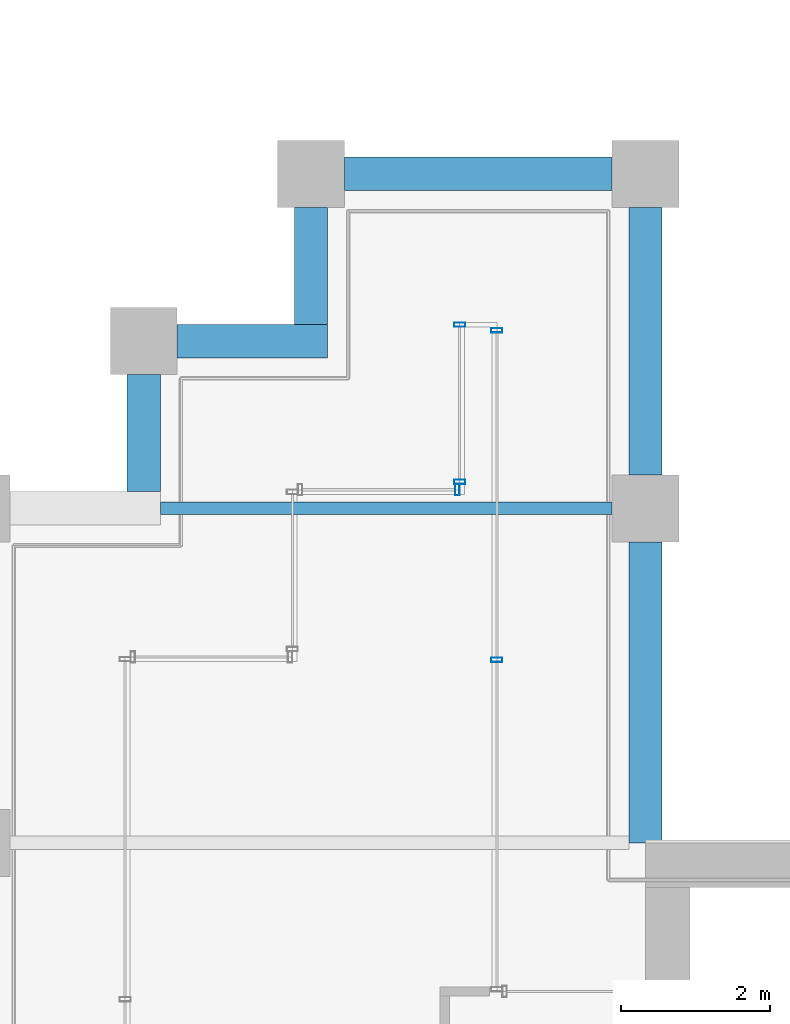
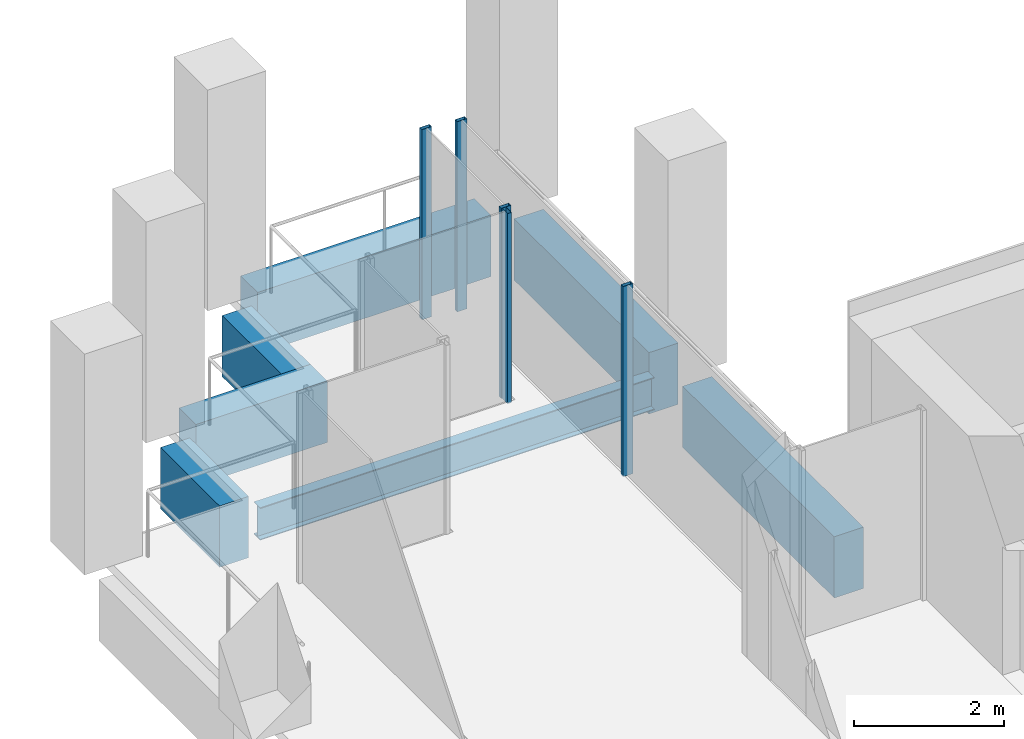
# One storey, part 33 of 40: 7 beams, 5 members, 3 elements without a shape of their own.
"""IFC4 building model written with IfcOpenShell, lengths in metres."""

import ifcopenshell
import ifcopenshell.guid

model = None  # the IFC model being written
_history = None  # IfcOwnerHistory: only IFC2X3 demands one
_inside = {}  # id of a spatial element -> (the spatial element, [elements in it])
_under = {}  # id of a project, library or spatial element -> (it, [spatial elements below it])
_declared = {}  # id of a project -> (the project, [libraries it declares])
_typed = {}  # id of a type object -> (the type object, [elements of that type])
_made_of = {}  # id of a material, layer set ... -> (it, [elements and type objects made of it])


def new_model(schema):
    """Start an empty IFC model of exactly this schema.

    Asked for "IFC4X3", IfcOpenShell would pick the latest addendum, in which some entities
    have other attributes; the version numbers below select the first issue.
    IFC2X3 requires an IfcOwnerHistory on every rooted entity: one is made here for all.
    """
    global model, _history
    if schema == "IFC4X3":
        model = ifcopenshell.file(schema_version=(4, 3, 0, 0))
    else:
        model = ifcopenshell.file(schema=schema)
    _inside.clear()
    _under.clear()
    _declared.clear()
    _typed.clear()
    _made_of.clear()
    _history = None
    if model.schema == "IFC2X3":
        org = make("IfcOrganization", Name="unknown")
        user = make(
            "IfcPersonAndOrganization",
            ThePerson=make("IfcPerson", FamilyName="unknown"),
            TheOrganization=org,
        )
        app = make(
            "IfcApplication",
            ApplicationDeveloper=org,
            Version="unknown",
            ApplicationFullName="unknown",
            ApplicationIdentifier="unknown",
        )
        _history = make(
            "IfcOwnerHistory",
            OwningUser=user,
            OwningApplication=app,
            ChangeAction="ADDED",
            CreationDate=0,
        )
    return model


def make(cls, **values):
    """One entity of the class cls with the attributes given. An attribute that is None is left unset."""
    return model.create_entity(
        cls, **{name: value for name, value in values.items() if value is not None}
    )


def rooted(cls, **values):
    """An entity with a GlobalId (a new one), such as an element, a storey or a relation."""
    return make(cls, GlobalId=ifcopenshell.guid.new(), OwnerHistory=_history, **values)


def si_unit(unit_type, name, prefix=None):
    """IfcSIUnit, for example si_unit("LENGTHUNIT", "METRE", prefix="MILLI")."""
    return make("IfcSIUnit", UnitType=unit_type, Prefix=prefix, Name=name)


def assignment(units):
    """IfcUnitAssignment: the units of a project."""
    return None if units is None else make("IfcUnitAssignment", Units=units)


def point(xyz):
    """IfcCartesianPoint."""
    return None if xyz is None else make("IfcCartesianPoint", Coordinates=xyz)


def direction(xyz):
    """IfcDirection."""
    return None if xyz is None else make("IfcDirection", DirectionRatios=xyz)


def frame(location, z_axis=None, x_axis=None):
    """IfcAxis2Placement3D, a coordinate frame: its origin and axes. An axis left out is left unset."""
    return make(
        "IfcAxis2Placement3D",
        Location=point(location),
        Axis=direction(z_axis),
        RefDirection=direction(x_axis),
    )


def frame_2d(location, x_axis=None):
    """IfcAxis2Placement2D, a coordinate frame in the plane: its origin and x axis."""
    return make(
        "IfcAxis2Placement2D", Location=point(location), RefDirection=direction(x_axis)
    )


def origin():
    """The frame at (0, 0, 0) with its axes left unset."""
    return frame((0.0, 0.0, 0.0))


def origin_2d():
    """The frame at (0, 0) in the plane with its x axis left unset."""
    return frame_2d((0.0, 0.0))


def place(relative_to, where):
    """IfcLocalPlacement: puts the frame where relative to a parent placement (None: the world)."""
    return make(
        "IfcLocalPlacement", PlacementRelTo=relative_to, RelativePlacement=where
    )


def context(
    kind, dimensions, precision=None, world=None, true_north=None, identifier=None
):
    """IfcGeometricRepresentationContext, for example the 3D "Model" context."""
    return make(
        "IfcGeometricRepresentationContext",
        ContextIdentifier=identifier,
        ContextType=kind,
        CoordinateSpaceDimension=dimensions,
        Precision=precision,
        WorldCoordinateSystem=world,
        TrueNorth=true_north,
    )


def subcontext(parent, identifier, kind, view, scale=None):
    """IfcGeometricRepresentationSubContext, for example "Body" below "Model"."""
    return make(
        "IfcGeometricRepresentationSubContext",
        ContextIdentifier=identifier,
        ContextType=kind,
        ParentContext=parent,
        TargetScale=scale,
        TargetView=view,
    )


def project(units=None, contexts=None):
    """IfcProject with its units and contexts."""
    return rooted(
        "IfcProject",
        Name="project",
        RepresentationContexts=contexts,
        UnitsInContext=assignment(units),
    )


def spatial(cls, under=None, at=None, **own):
    """A site, building, storey or space (cls), placed at a placement, below another one or the project."""
    s = rooted(cls, ObjectPlacement=at, **own)
    if under is not None:
        _under.setdefault(under.id(), (under, []))[1].append(s)
    return s


def profile(cls, at=None, kind="AREA", **sizes):
    """A parametric profile (cls). Its sizes go by their IFC names, for example OverallWidth=200.0."""
    return make(cls, ProfileType=kind, Position=at, **sizes)


def rectangle(**sizes):
    """IfcRectangleProfileDef."""
    return profile("IfcRectangleProfileDef", **sizes)


def hollow_rectangle(**sizes):
    """IfcRectangleHollowProfileDef."""
    return profile("IfcRectangleHollowProfileDef", **sizes)


def i_section(**sizes):
    """IfcIShapeProfileDef."""
    return profile("IfcIShapeProfileDef", **sizes)


def extrude(swept, where, along, depth):
    """IfcExtrudedAreaSolid: the profile swept, set in the frame where, extruded along a direction by depth."""
    return make(
        "IfcExtrudedAreaSolid",
        SweptArea=swept,
        Position=where,
        ExtrudedDirection=direction(along),
        Depth=depth,
    )


def shape(context_of_items, identifier, shape_type, items):
    """IfcShapeRepresentation: the items that make up one representation, for example the "Body"."""
    return make(
        "IfcShapeRepresentation",
        ContextOfItems=context_of_items,
        RepresentationIdentifier=identifier,
        RepresentationType=shape_type,
        Items=items,
    )


def material(Name=None, Category=None):
    """IfcMaterial."""
    return make("IfcMaterial", Name=Name, Category=Category)


def material_profile(
    of_material, cross_section, Name=None, Category=None, Priority=None
):
    """IfcMaterialProfile: a cross section and its material."""
    return make(
        "IfcMaterialProfile",
        Name=Name,
        Material=of_material,
        Profile=cross_section,
        Priority=Priority,
        Category=Category,
    )


def profile_set(profiles, Name=None, composite=None):
    """IfcMaterialProfileSet."""
    return make(
        "IfcMaterialProfileSet",
        Name=Name,
        MaterialProfiles=profiles,
        CompositeProfile=composite,
    )


def made_of(thing, what):
    """Note that an element or type object is made of a material, layer set ...; save() writes the relation."""
    if what is not None:
        _made_of.setdefault(what.id(), (what, []))[1].append(thing)
    return thing


def type_object(cls, material=None, **own):
    """A type object (cls), such as IfcWallType, which elements share."""
    return made_of(rooted(cls, **own), material)


def element(
    cls,
    number,
    at=None,
    inside=None,
    cuts=None,
    type_object=None,
    material=None,
    context=None,
    identifier="Body",
    shape_type=None,
    held_by="IfcProductDefinitionShape",
    body=None,
    shapes=None,
    **own,
):
    """One element of the class cls, such as IfcWall. Its Tag is "e" and its number.

    at: its placement. inside: the storey or other place that contains it. cuts: it is an
    opening in that element (IfcRelVoidsElement). A single representation is given by context,
    identifier, shape_type and body (its items); several are given by shapes. held_by: the class
    of the entity that holds the representations. save() writes the other relations.
    """
    e = rooted(cls, Tag="e%d" % number, ObjectPlacement=at, **own)
    if body is not None:
        shapes = [shape(context, identifier, shape_type, body)]
    if shapes is not None:
        e.Representation = make(held_by, Representations=shapes)
    if inside is not None:
        _inside.setdefault(inside.id(), (inside, []))[1].append(e)
    if cuts is not None:
        rooted(
            "IfcRelVoidsElement", RelatingBuildingElement=cuts, RelatedOpeningElement=e
        )
    if type_object is not None:
        _typed.setdefault(type_object.id(), (type_object, []))[1].append(e)
    return made_of(e, material)


def aggregate(whole, parts):
    """IfcRelAggregates: a whole, such as a stair, and the parts it consists of."""
    return rooted("IfcRelAggregates", RelatingObject=whole, RelatedObjects=parts)


def save(model, path):
    """Write the relations noted so far, then the file.

    IfcRelAggregates (storeys below a building ...), IfcRelContainedInSpatialStructure (elements
    in a storey), IfcRelDefinesByType, IfcRelAssociatesMaterial and IfcRelDeclares: one each for
    every whole, place, type object, material and project.
    """
    for whole, parts in _under.values():
        aggregate(whole, parts)
    for where, things in _inside.values():
        rooted(
            "IfcRelContainedInSpatialStructure",
            RelatedElements=things,
            RelatingStructure=where,
        )
    for kind, things in _typed.values():
        rooted("IfcRelDefinesByType", RelatedObjects=things, RelatingType=kind)
    for what, things in _made_of.values():
        rooted("IfcRelAssociatesMaterial", RelatedObjects=things, RelatingMaterial=what)
    for by, libraries in _declared.values():
        rooted("IfcRelDeclares", RelatingContext=by, RelatedDefinitions=libraries)
    model.write(path)


model = new_model("IFC4")

# Units and contexts
model_context = context("Model", 3, precision=1e-05, world=origin(), true_north=direction((0.0, 1.0)))
body_context = subcontext(model_context, "Body", "Model", "MODEL_VIEW")
ifc_project = project(units=[si_unit("LENGTHUNIT", "METRE"), si_unit("AREAUNIT", "SQUARE_METRE"), si_unit("VOLUMEUNIT", "CUBIC_METRE"), si_unit("PLANEANGLEUNIT", "RADIAN"), si_unit("MASSUNIT", "GRAM", prefix="KILO")], contexts=[model_context])

# Site, building, storey
site_placement = place(None, origin())
site = spatial("IfcSite", under=ifc_project, at=site_placement, CompositionType="ELEMENT")
building_placement = place(site_placement, origin())
building = spatial("IfcBuilding", under=site, at=building_placement, Name="Altepetl Exchange Towers", CompositionType="ELEMENT")
storey_placement = place(building_placement, frame((0.0, 0.0, 154.60009765625)))
storey = spatial("IfcBuildingStorey", under=building, at=storey_placement, Name="L38", CompositionType="ELEMENT", Elevation=154.60009765625)

# Beam
ifc_material_1 = material(Name="Steel S355", Category="steel")
ifc_material_profile_1 = material_profile(ifc_material_1, i_section(OverallWidth=0.166015625, OverallDepth=0.529052734375, WebThickness=0.009765625, FlangeThickness=0.013671875, at=origin_2d()), Name="W21X50")
ifc_profile_set_1 = profile_set([ifc_material_profile_1], Name="Steel S355")
beam_type_1 = type_object("IfcBeamType", Name="Floor beam W21X50", PredefinedType="BEAM", material=ifc_profile_set_1)
beam_1_placement = place(storey_placement, frame((96.97509765625, 54.0, -0.41455078125), z_axis=(1.0, 0.0, 0.0), x_axis=(0.0, 1.0, 0.0)))
element("IfcBeam", 1, at=beam_1_placement, inside=storey, type_object=beam_type_1, Name="bm:B:L38:007", PredefinedType="BEAM", context=body_context, shape_type="SweptSolid", body=[
    extrude(i_section(OverallWidth=0.166015625, OverallDepth=0.529052734375, WebThickness=0.009765625, FlangeThickness=0.013671875, at=origin_2d()), origin(), (0.0, 0.0, 1.0), 6.074951171875),
])

# Curtain wall, members
ifc_material_2 = material(Name="Aluminium 6063-T6 glazing", Category="aluminium")
curtain_wall_type = type_object("IfcCurtainWallType", Name="Loggia glazing system", PredefinedType="NOTDEFINED", material=ifc_material_2)
curtain_wall_1_placement = place(storey_placement, origin())
curtain_wall_1 = element("IfcCurtainWall", 2, at=curtain_wall_1_placement, inside=storey, type_object=curtain_wall_type, Name="CW1 run", PredefinedType="NOTDEFINED")
ifc_material_3 = material(Name="Aluminium 6063-T6", Category="aluminium")
ifc_material_profile_2 = material_profile(ifc_material_3, hollow_rectangle(XDim=0.06005859375, YDim=0.14990234375, WallThickness=0.0029296875, at=origin_2d()), Name="Mullion 60x150 aluminium")
ifc_profile_set_2 = profile_set([ifc_material_profile_2], Name="Aluminium 6063-T6")
member_type = type_object("IfcMemberType", Name="Mullion 60x150 aluminium", PredefinedType="MULLION", material=ifc_profile_set_2)
member_1_placement = place(storey_placement, frame((101.5, 51.96240234375, 0.0), z_axis=(0.0, 0.0, 1.0), x_axis=(0.0, 1.0, 0.0)))
member_1 = element("IfcMember", 3, at=member_1_placement, type_object=member_type, Name="MU1 mullion", PredefinedType="MULLION", context=body_context, shape_type="SweptSolid", body=[
    extrude(hollow_rectangle(XDim=0.06005859375, YDim=0.14990234375, WallThickness=0.0029296875, at=origin_2d()), origin(), (0.0, 0.0, 1.0), 3.099853515625),
])
member_2_placement = place(storey_placement, frame((101.5, 56.39501953125, 0.0), z_axis=(0.0, 0.0, 1.0), x_axis=(0.0, 1.0, 0.0)))
member_2 = element("IfcMember", 4, at=member_2_placement, type_object=member_type, Name="MU1 mullion", PredefinedType="MULLION", context=body_context, shape_type="SweptSolid", body=[
    extrude(hollow_rectangle(XDim=0.06005859375, YDim=0.14990234375, WallThickness=0.0029296875, at=origin_2d()), origin(), (0.0, 0.0, 1.0), 3.099853515625),
])
aggregate(curtain_wall_1, [member_1, member_2])

curtain_wall_2_placement = place(storey_placement, origin())
curtain_wall_2 = element("IfcCurtainWall", 5, at=curtain_wall_2_placement, inside=storey, type_object=curtain_wall_type, Name="CW1 run", PredefinedType="NOTDEFINED")
member_3_placement = place(storey_placement, frame((101.0, 56.469970703125, 0.0), z_axis=(0.0, 0.0, 1.0), x_axis=(0.0, -1.0, 0.0)))
member_3 = element("IfcMember", 6, at=member_3_placement, type_object=member_type, Name="MU1 mullion", PredefinedType="MULLION", context=body_context, shape_type="SweptSolid", body=[
    extrude(hollow_rectangle(XDim=0.06005859375, YDim=0.14990234375, WallThickness=0.0029296875, at=origin_2d()), origin(), (0.0, 0.0, 1.0), 3.099853515625),
])
member_4_placement = place(storey_placement, frame((101.0, 54.35498046875, 0.0), z_axis=(0.0, 0.0, 1.0), x_axis=(0.0, -1.0, 0.0)))
member_4 = element("IfcMember", 7, at=member_4_placement, type_object=member_type, Name="MU1 mullion", PredefinedType="MULLION", context=body_context, shape_type="SweptSolid", body=[
    extrude(hollow_rectangle(XDim=0.06005859375, YDim=0.14990234375, WallThickness=0.0029296875, at=origin_2d()), origin(), (0.0, 0.0, 1.0), 3.099853515625),
])
aggregate(curtain_wall_2, [member_3, member_4])

# Curtain wall, member
curtain_wall_3_placement = place(storey_placement, origin())
curtain_wall_3 = element("IfcCurtainWall", 8, at=curtain_wall_3_placement, inside=storey, type_object=curtain_wall_type, Name="CW1 run", PredefinedType="NOTDEFINED")
member_5_placement = place(storey_placement, frame((100.969970703125, 54.25, 0.0), z_axis=(0.0, 0.0, 1.0), x_axis=(-1.0, 0.0, 0.0)))
member_5 = element("IfcMember", 9, at=member_5_placement, type_object=member_type, Name="MU1 mullion", PredefinedType="MULLION", context=body_context, shape_type="SweptSolid", body=[
    extrude(hollow_rectangle(XDim=0.06005859375, YDim=0.14990234375, WallThickness=0.0029296875, at=origin_2d()), origin(), (0.0, 0.0, 1.0), 3.099853515625),
])
aggregate(curtain_wall_3, [member_5])

# Beams
ifc_material_4 = material(Name="Concrete C50/60 precast with cantera rosa facing", Category="concrete")
ifc_material_profile_3 = material_profile(ifc_material_4, rectangle(XDim=0.449951171875, YDim=1.0, at=origin_2d()), Name="450 x 1000")
ifc_profile_set_3 = profile_set([ifc_material_profile_3], Name="Concrete C50/60 precast with cantera rosa facing")
beam_type_2 = type_object("IfcBeamType", Name="Spandrel beam 450x1000 cantera rosa", PredefinedType="SPANDREL", material=ifc_profile_set_3)
beam_2_placement = place(storey_placement, frame((103.5, 49.5, -0.650146484375), z_axis=(0.0, 1.0, 0.0), x_axis=(-1.0, 0.0, 0.0)))
element("IfcBeam", 10, at=beam_2_placement, inside=storey, type_object=beam_type_2, Name="sp:B:L38:008", PredefinedType="SPANDREL", context=body_context, shape_type="SweptSolid", body=[
    extrude(rectangle(XDim=0.449951171875, YDim=1.0, at=origin_2d()), origin(), (0.0, 0.0, 1.0), 4.050048828125),
])
for number, where, z_axis, x_axis, name in (
    (11, (103.5, 54.449951171875, -0.650146484375), (0.0, 1.0, 0.0), (-1.0, 0.0, 0.0), "sp:B:L38:009"),
    (12, (103.050048828125, 58.5, -0.650146484375), (-1.0, 0.0, 0.0), (0.0, -1.0, 0.0), "sp:B:L38:010"),
):
    element("IfcBeam", number, at=place(storey_placement, frame(where, z_axis=z_axis, x_axis=x_axis)), inside=storey, type_object=beam_type_2, Name=name, PredefinedType="SPANDREL", context=body_context, shape_type="SweptSolid", body=[
        extrude(rectangle(XDim=0.449951171875, YDim=1.0, at=origin_2d()), origin(), (0.0, 0.0, 1.0), 3.60009765625),
    ])
beam_3_placement = place(storey_placement, frame((99.0, 58.050048828125, -0.650146484375), z_axis=(0.0, -1.0, 0.0), x_axis=(1.0, 0.0, 0.0)))
element("IfcBeam", 13, at=beam_3_placement, inside=storey, type_object=beam_type_2, Name="sp:B:L38:011", PredefinedType="SPANDREL", context=body_context, shape_type="SweptSolid", body=[
    extrude(rectangle(XDim=0.449951171875, YDim=1.0, at=origin_2d()), origin(), (0.0, 0.0, 1.0), 1.574951171875),
])
beam_4_placement = place(storey_placement, frame((99.22509765625, 56.25, -0.650146484375), z_axis=(-1.0, 0.0, 0.0), x_axis=(0.0, -1.0, 0.0)))
element("IfcBeam", 14, at=beam_4_placement, inside=storey, type_object=beam_type_2, Name="sp:B:L38:012", PredefinedType="SPANDREL", context=body_context, shape_type="SweptSolid", body=[
    extrude(rectangle(XDim=0.449951171875, YDim=1.0, at=origin_2d()), origin(), (0.0, 0.0, 1.0), 2.025146484375),
])
beam_5_placement = place(storey_placement, frame((96.75, 55.800048828125, -0.650146484375), z_axis=(0.0, -1.0, 0.0), x_axis=(1.0, 0.0, 0.0)))
element("IfcBeam", 15, at=beam_5_placement, inside=storey, type_object=beam_type_2, Name="sp:B:L38:013", PredefinedType="SPANDREL", context=body_context, shape_type="SweptSolid", body=[
    extrude(rectangle(XDim=0.449951171875, YDim=1.0, at=origin_2d()), origin(), (0.0, 0.0, 1.0), 1.574951171875),
])

save(model, "model.ifc")
